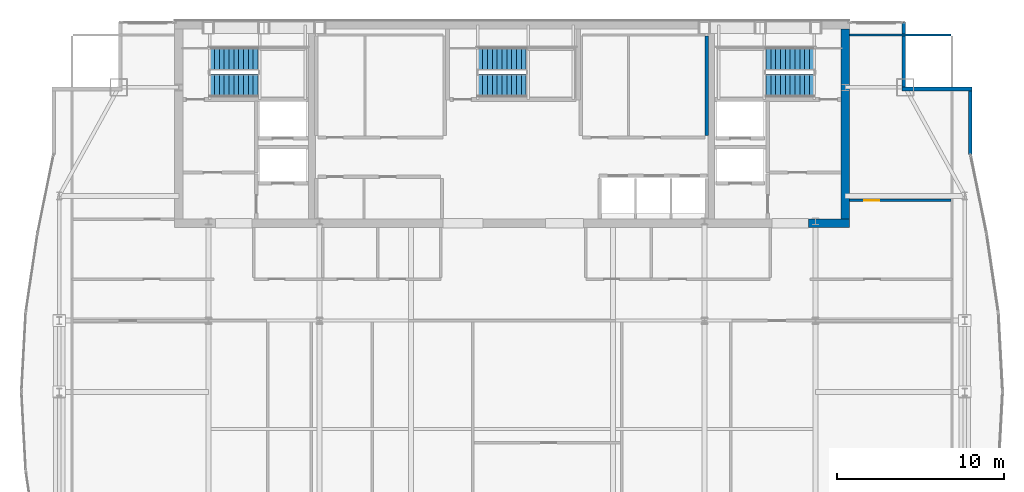
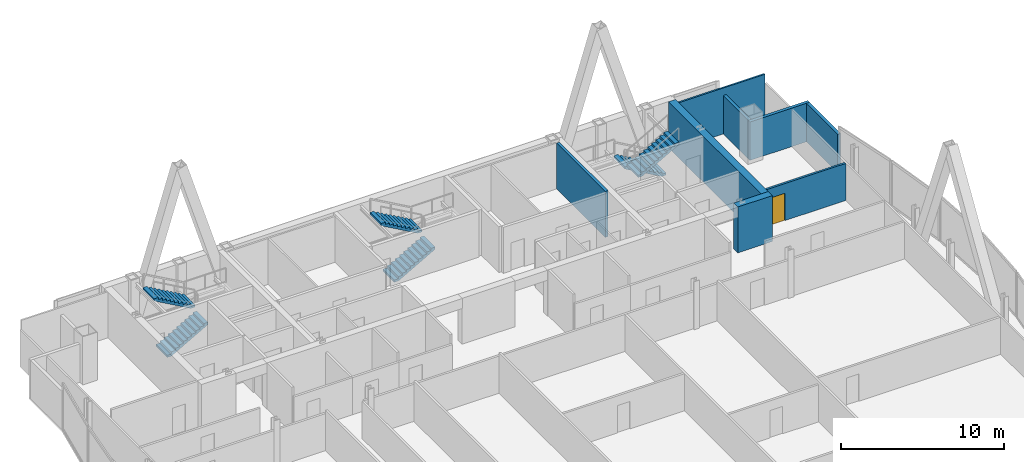
# One storey, part 29 of 31: 8 walls, 6 stair flights, 1 door, 1 opening, 3 elements without a shape of their own.
"""IFC4 building model written with IfcOpenShell, lengths in metres."""

from ifc_helpers import new_model, si_unit, direction, frame, frame_2d, origin, place, context, subcontext, project, spatial, polyline, rectangle, outline, extrude, material, layer, layer_set, type_object, element, fill, aggregate, save


model = new_model("IFC4")

# Units and contexts
model_context = context("Model", 3, precision=1e-05, world=origin(), true_north=direction((0.0, 1.0)))
body_context = subcontext(model_context, "Body", "Model", "MODEL_VIEW")
ifc_project = project(units=[si_unit("LENGTHUNIT", "METRE"), si_unit("AREAUNIT", "SQUARE_METRE"), si_unit("VOLUMEUNIT", "CUBIC_METRE"), si_unit("PLANEANGLEUNIT", "RADIAN"), si_unit("MASSUNIT", "GRAM", prefix="KILO")], contexts=[model_context])

# Site, building, storey
site_placement = place(None, origin())
site = spatial("IfcSite", under=ifc_project, at=site_placement, CompositionType="ELEMENT")
building_placement = place(site_placement, origin())
building = spatial("IfcBuilding", under=site, at=building_placement, Name="Khoronbel Lancet Exchange", CompositionType="ELEMENT")
storey_placement = place(building_placement, frame((0.0, 0.0, 273.39990234375)))
storey = spatial("IfcBuildingStorey", under=building, at=storey_placement, Name="L70", CompositionType="ELEMENT", Elevation=273.39990234375)

# Walls
ifc_material_1 = material(Name="Concrete C60/75", Category="concrete")
ifc_layer_1 = layer(ifc_material_1, 0.5, Name="Concrete C60/75")
ifc_layer_set_1 = layer_set([ifc_layer_1], Name="Concrete C60/75")
wall_type_1 = type_object("IfcWallType", Name="WL-CW4", PredefinedType="SHEAR", material=ifc_layer_set_1)
wall_1_placement = place(storey_placement, frame((56.449951171875, 53.199951171875, 0.0), z_axis=(0.0, 0.0, 1.0), x_axis=(0.0, -1.0, 0.0)))
element("IfcWall", 1, at=wall_1_placement, inside=storey, type_object=wall_type_1, Name="Level L70 rear core east shear wall", PredefinedType="SHEAR", context=body_context, shape_type="SweptSolid", body=[
    extrude(rectangle(XDim=11.39990234375, YDim=0.5, at=frame_2d((5.699951171875, 0.0))), origin(), (0.0, 0.0, 1.0), 3.440185546875),
])
wall_2_placement = place(storey_placement, frame((56.699951171875, 41.550048828125, 0.0), z_axis=(0.0, 0.0, 1.0), x_axis=(-1.0, 0.0, 0.0)))
element("IfcWall", 2, at=wall_2_placement, inside=storey, type_object=wall_type_1, Name="Level L70 rear core south shear wall pier P5", PredefinedType="SHEAR", context=body_context, shape_type="SweptSolid", body=[
    extrude(rectangle(XDim=2.449951171875, YDim=0.5, at=frame_2d((1.22509765625, 0.0))), origin(), (0.0, 0.0, 1.0), 3.440185546875),
])
ifc_material_2 = material(Name="Precast concrete C40/50", Category="concrete")
ifc_layer_2 = layer(ifc_material_2, 0.25, Name="Precast concrete C40/50")
ifc_layer_set_2 = layer_set([ifc_layer_2], Name="Precast concrete C40/50")
wall_type_2 = type_object("IfcWallType", Name="WL-EXT250", PredefinedType="SOLIDWALL", material=ifc_layer_set_2)
wall_3_placement = place(storey_placement, frame((59.9599609375, 53.6298828125, 0.0), z_axis=(0.0, 0.0, 1.0), x_axis=(0.0, -1.0, 0.0)))
element("IfcWall", 3, at=wall_3_placement, inside=storey, type_object=wall_type_2, Name="Level L70 notched-corner limestone pier 14", PredefinedType="SOLIDWALL", context=body_context, shape_type="SweptSolid", body=[
    extrude(rectangle(XDim=3.909912109375, YDim=0.219970703125, at=frame_2d((1.955078125, 0.0))), origin(), (0.0, 0.0, 1.0), 2.880126953125),
])
wall_4_placement = place(storey_placement, frame((59.85009765625, 49.610107421875, 0.0), z_axis=(0.0, 0.0, 1.0), x_axis=(1.0, 0.0, 0.0)))
element("IfcWall", 4, at=wall_4_placement, inside=storey, type_object=wall_type_2, Name="Level L70 notched-corner limestone pier 15", PredefinedType="SOLIDWALL", context=body_context, shape_type="SweptSolid", body=[
    extrude(rectangle(XDim=4.219970703125, YDim=0.219970703125, at=frame_2d((2.10986328125, 0.0))), origin(), (0.0, 0.0, 1.0), 2.880126953125),
])
wall_5_placement = place(storey_placement, frame((63.9599609375, 49.5, 0.0), z_axis=(0.0, 0.0, 1.0), x_axis=(0.0, -1.0, 0.0)))
element("IfcWall", 5, at=wall_5_placement, inside=storey, type_object=wall_type_2, Name="Level L70 notched-corner limestone pier 16", PredefinedType="SOLIDWALL", context=body_context, shape_type="SweptSolid", body=[
    extrude(rectangle(XDim=3.8291015625, YDim=0.219970703125, at=frame_2d((1.91455078125, 0.0))), origin(), (0.0, 0.0, 1.0), 2.880126953125),
])

# Wall, opening, door
ifc_material_3 = material(Name="Acoustic Metal-Stud & Mineral-Wool Gypsum Partition 120 mm", Category="gypsum")
ifc_layer_3 = layer(ifc_material_3, 0.1201171875, Name="Acoustic Metal-Stud & Mineral-Wool Gypsum Partition 120 mm")
ifc_layer_set_3 = layer_set([ifc_layer_3], Name="Acoustic Metal-Stud & Mineral-Wool Gypsum Partition 120 mm")
wall_type_3 = type_object("IfcWallType", Name="WL-PRT120", PredefinedType="PARTITIONING", material=ifc_layer_set_3)
wall_6_placement = place(storey_placement, frame((56.699951171875, 42.919921875, 0.0), z_axis=(0.0, 0.0, 1.0), x_axis=(1.0, 0.0, 0.0)))
wall_6 = element("IfcWall", 6, at=wall_6_placement, inside=storey, type_object=wall_type_3, Name="Level L70 interior partition PW-NE-H", PredefinedType="PARTITIONING", context=body_context, shape_type="SweptSolid", body=[
    extrude(rectangle(XDim=6.10498046875, YDim=0.14990234375, at=frame_2d((3.052490234375, 0.0))), origin(), (0.0, 0.0, 1.0), 2.780029296875),
])
opening_placement = place(wall_6_placement, frame((0.89990234375, 0.0, 0.0)))
opening = element("IfcOpeningElement", 7, at=opening_placement, cuts=wall_6, Name="Opening D5", PredefinedType="OPENING", context=body_context, shape_type="SweptSolid", body=[
    extrude(rectangle(XDim=0.89990234375, YDim=2.050048828125, at=frame_2d((0.449951171875, 1.02490234375))), frame((0.0, 0.0849609375, 0.0), z_axis=(0.0, -1.0, 0.0), x_axis=(1.0, 0.0, 0.0)), (0.0, 0.0, 1.0), 0.169921875),
])
ifc_material_4 = material(Name="Acoustic Timber Pantry & Support Door", Category="wood")
door_type = type_object("IfcDoorType", Name="DR-D5", OperationType="NOTDEFINED", PredefinedType="DOOR", material=ifc_material_4)
door_placement = place(opening_placement, origin())
door = element("IfcDoor", 8, at=door_placement, inside=storey, type_object=door_type, Name="NE north room door L70-1", OperationType="SINGLE_SWING_RIGHT", OverallHeight=2.050048828125, OverallWidth=0.89990234375, PredefinedType="DOOR", context=body_context, shape_type="SweptSolid", body=[
    extrude(rectangle(XDim=0.89990234375, YDim=2.050048828125, at=frame_2d((0.449951171875, 1.02490234375))), frame((0.0, 0.02490234375, 0.0), z_axis=(0.0, -1.0, 0.0), x_axis=(1.0, 0.0, 0.0)), (0.0, 0.0, 1.0), 0.050048828125),
])
fill(opening, door)

# Walls
wall_7_placement = place(storey_placement, frame((56.699951171875, 52.840087890625, 0.0), z_axis=(0.0, 0.0, 1.0), x_axis=(1.0, 0.0, 0.0)))
element("IfcWall", 9, at=wall_7_placement, inside=storey, type_object=wall_type_3, Name="Level L70 interior partition PW-LIN-NE", PredefinedType="PARTITIONING", context=body_context, shape_type="SweptSolid", body=[
    extrude(rectangle(XDim=6.10498046875, YDim=0.1201171875, at=frame_2d((3.052490234375, 0.0))), origin(), (0.0, 0.0, 1.0), 3.440185546875),
])
ifc_material_5 = material(Name="Autoclaved Aerated Concrete Blockwork 200 mm", Category="masonry")
ifc_layer_4 = layer(ifc_material_5, 0.199951171875, Name="Autoclaved Aerated Concrete Blockwork 200 mm")
ifc_layer_set_4 = layer_set([ifc_layer_4], Name="Autoclaved Aerated Concrete Blockwork 200 mm")
wall_type_4 = type_object("IfcWallType", Name="WL-PRT200", PredefinedType="PARTITIONING", material=ifc_layer_set_4)
wall_8_placement = place(storey_placement, frame((48.139892578125, 46.804931640625, 0.0), z_axis=(0.0, 0.0, 1.0), x_axis=(0.0, 1.0, 0.0)))
element("IfcWall", 10, at=wall_8_placement, inside=storey, type_object=wall_type_4, Name="Level L70 interior partition CW-PH-RE", PredefinedType="PARTITIONING", context=body_context, shape_type="SweptSolid", body=[
    extrude(rectangle(XDim=5.989990234375, YDim=0.199951171875, at=frame_2d((2.9951171875, 0.0))), origin(), (0.0, 0.0, 1.0), 3.440185546875),
])

# Stair, stair flights
ifc_material_6 = material(Name="Concrete C40/50", Category="concrete")
stair_type = type_object("IfcStairType", Name="STR-CORE150", PredefinedType="HALF_TURN_STAIR", material=ifc_material_6)
stair_1_placement = place(storey_placement, origin())
stair_1 = element("IfcStair", 11, at=stair_1_placement, inside=storey, type_object=stair_type, Name="L70 Protected Exit Stair ST1", PredefinedType="HALF_TURN_STAIR")
stair_flight_type = type_object("IfcStairFlightType", Name="STF-150", PredefinedType="STRAIGHT", material=ifc_material_6)
stair_flight_1_placement = place(storey_placement, frame((18.300048828125, 49.81005859375, 0.0), z_axis=(0.0, 0.0, 1.0), x_axis=(1.0, 0.0, 0.0)))
stair_flight_1 = element("IfcStairFlight", 12, at=stair_flight_1_placement, type_object=stair_flight_type, Name="ST1 flight 1", NumberOfRisers=11, NumberOfTreads=10, PredefinedType="STRAIGHT", RiserHeight=0.163636364, TreadLength=0.29, context=body_context, shape_type="SweptSolid", body=[
    extrude(outline(polyline([(0.0, 0.0), (0.0, 0.16357421875), (0.2900390625, 0.16357421875), (0.2900390625, 0.327392578125), (0.580078125, 0.327392578125), (0.580078125, 0.490966796875), (0.8701171875, 0.490966796875), (0.8701171875, 0.654541015625), (1.159912109375, 0.654541015625), (1.159912109375, 0.818115234375), (1.449951171875, 0.818115234375), (1.449951171875, 0.98193359375), (1.739990234375, 0.98193359375), (1.739990234375, 1.1455078125), (2.030029296875, 1.1455078125), (2.030029296875, 1.30908203125), (2.320068359375, 1.30908203125), (2.320068359375, 1.47265625), (2.610107421875, 1.47265625), (2.610107421875, 1.636474609375), (2.89990234375, 1.636474609375), (2.89990234375, 1.800048828125), (2.89990234375, 1.46435546875), (0.304931640625, 0.0), (0.0, 0.0)])), frame((0.0, 0.68994140625, 0.0), z_axis=(0.0, -1.0, 0.0), x_axis=(1.0, 0.0, 0.0)), (0.0, 0.0, 1.0), 1.3798828125),
])
stair_flight_2_placement = place(storey_placement, frame((21.199951171875, 51.409912109375, 1.800048828125), z_axis=(0.0, 0.0, 1.0), x_axis=(-1.0, 0.0, 0.0)))
stair_flight_2 = element("IfcStairFlight", 13, at=stair_flight_2_placement, type_object=stair_flight_type, Name="ST1 flight 2", NumberOfRisers=11, NumberOfTreads=10, PredefinedType="STRAIGHT", RiserHeight=0.163636364, TreadLength=0.29, context=body_context, shape_type="SweptSolid", body=[
    extrude(outline(polyline([(0.0, 0.0), (0.0, 0.16357421875), (0.2900390625, 0.16357421875), (0.2900390625, 0.327392578125), (0.580078125, 0.327392578125), (0.580078125, 0.490966796875), (0.8701171875, 0.490966796875), (0.8701171875, 0.654541015625), (1.159912109375, 0.654541015625), (1.159912109375, 0.818115234375), (1.449951171875, 0.818115234375), (1.449951171875, 0.98193359375), (1.739990234375, 0.98193359375), (1.739990234375, 1.1455078125), (2.030029296875, 1.1455078125), (2.030029296875, 1.30908203125), (2.320068359375, 1.30908203125), (2.320068359375, 1.47265625), (2.610107421875, 1.47265625), (2.610107421875, 1.636474609375), (2.89990234375, 1.636474609375), (2.89990234375, 1.800048828125), (2.89990234375, 1.46435546875), (0.304931640625, 0.0), (0.0, 0.0)])), frame((0.0, 0.68994140625, 0.0), z_axis=(0.0, -1.0, 0.0), x_axis=(1.0, 0.0, 0.0)), (0.0, 0.0, 1.0), 1.3798828125),
])
aggregate(stair_1, [stair_flight_1, stair_flight_2])

stair_2_placement = place(storey_placement, origin())
stair_2 = element("IfcStair", 14, at=stair_2_placement, inside=storey, type_object=stair_type, Name="L70 Protected Exit Stair ST2", PredefinedType="HALF_TURN_STAIR")
stair_flight_3_placement = place(storey_placement, frame((54.60009765625, 51.409912109375, 0.0), z_axis=(0.0, 0.0, 1.0), x_axis=(-1.0, 0.0, 0.0)))
stair_flight_3 = element("IfcStairFlight", 15, at=stair_flight_3_placement, type_object=stair_flight_type, Name="ST2 flight 1", NumberOfRisers=11, NumberOfTreads=10, PredefinedType="STRAIGHT", RiserHeight=0.163636364, TreadLength=0.29, context=body_context, shape_type="SweptSolid", body=[
    extrude(outline(polyline([(0.0, 0.0), (0.0, 0.16357421875), (0.2900390625, 0.16357421875), (0.2900390625, 0.327392578125), (0.580078125, 0.327392578125), (0.580078125, 0.490966796875), (0.8701171875, 0.490966796875), (0.8701171875, 0.654541015625), (1.159912109375, 0.654541015625), (1.159912109375, 0.818115234375), (1.449951171875, 0.818115234375), (1.449951171875, 0.98193359375), (1.739990234375, 0.98193359375), (1.739990234375, 1.1455078125), (2.030029296875, 1.1455078125), (2.030029296875, 1.30908203125), (2.320068359375, 1.30908203125), (2.320068359375, 1.47265625), (2.610107421875, 1.47265625), (2.610107421875, 1.636474609375), (2.89990234375, 1.636474609375), (2.89990234375, 1.800048828125), (2.89990234375, 1.46435546875), (0.304931640625, 0.0), (0.0, 0.0)])), frame((0.0, 0.68994140625, 0.0), z_axis=(0.0, -1.0, 0.0), x_axis=(1.0, 0.0, 0.0)), (0.0, 0.0, 1.0), 1.3798828125),
])
stair_flight_4_placement = place(storey_placement, frame((51.699951171875, 49.81005859375, 1.800048828125), z_axis=(0.0, 0.0, 1.0), x_axis=(1.0, 0.0, 0.0)))
stair_flight_4 = element("IfcStairFlight", 16, at=stair_flight_4_placement, type_object=stair_flight_type, Name="ST2 flight 2", NumberOfRisers=11, NumberOfTreads=10, PredefinedType="STRAIGHT", RiserHeight=0.163636364, TreadLength=0.29, context=body_context, shape_type="SweptSolid", body=[
    extrude(outline(polyline([(0.0, 0.0), (0.0, 0.16357421875), (0.2900390625, 0.16357421875), (0.2900390625, 0.327392578125), (0.580078125, 0.327392578125), (0.580078125, 0.490966796875), (0.8701171875, 0.490966796875), (0.8701171875, 0.654541015625), (1.159912109375, 0.654541015625), (1.159912109375, 0.818115234375), (1.449951171875, 0.818115234375), (1.449951171875, 0.98193359375), (1.739990234375, 0.98193359375), (1.739990234375, 1.1455078125), (2.030029296875, 1.1455078125), (2.030029296875, 1.30908203125), (2.320068359375, 1.30908203125), (2.320068359375, 1.47265625), (2.610107421875, 1.47265625), (2.610107421875, 1.636474609375), (2.89990234375, 1.636474609375), (2.89990234375, 1.800048828125), (2.89990234375, 1.46435546875), (0.304931640625, 0.0), (0.0, 0.0)])), frame((0.0, 0.68994140625, 0.0), z_axis=(0.0, -1.0, 0.0), x_axis=(1.0, 0.0, 0.0)), (0.0, 0.0, 1.0), 1.3798828125),
])
aggregate(stair_2, [stair_flight_3, stair_flight_4])

stair_3_placement = place(storey_placement, origin())
stair_3 = element("IfcStair", 17, at=stair_3_placement, inside=storey, type_object=stair_type, Name="L70 Protected Exit Stair ST3", PredefinedType="HALF_TURN_STAIR")
stair_flight_5_placement = place(storey_placement, frame((34.39990234375, 49.81005859375, 0.0), z_axis=(0.0, 0.0, 1.0), x_axis=(1.0, 0.0, 0.0)))
stair_flight_5 = element("IfcStairFlight", 18, at=stair_flight_5_placement, type_object=stair_flight_type, Name="ST3 flight 1", NumberOfRisers=11, NumberOfTreads=10, PredefinedType="STRAIGHT", RiserHeight=0.163636364, TreadLength=0.29, context=body_context, shape_type="SweptSolid", body=[
    extrude(outline(polyline([(0.0, 0.0), (0.0, 0.16357421875), (0.2900390625, 0.16357421875), (0.2900390625, 0.327392578125), (0.580078125, 0.327392578125), (0.580078125, 0.490966796875), (0.8701171875, 0.490966796875), (0.8701171875, 0.654541015625), (1.159912109375, 0.654541015625), (1.159912109375, 0.818115234375), (1.449951171875, 0.818115234375), (1.449951171875, 0.98193359375), (1.739990234375, 0.98193359375), (1.739990234375, 1.1455078125), (2.030029296875, 1.1455078125), (2.030029296875, 1.30908203125), (2.320068359375, 1.30908203125), (2.320068359375, 1.47265625), (2.610107421875, 1.47265625), (2.610107421875, 1.636474609375), (2.89990234375, 1.636474609375), (2.89990234375, 1.800048828125), (2.89990234375, 1.46435546875), (0.304931640625, 0.0), (0.0, 0.0)])), frame((0.0, 0.68994140625, 0.0), z_axis=(0.0, -1.0, 0.0), x_axis=(1.0, 0.0, 0.0)), (0.0, 0.0, 1.0), 1.3798828125),
])
stair_flight_6_placement = place(storey_placement, frame((37.300048828125, 51.409912109375, 1.800048828125), z_axis=(0.0, 0.0, 1.0), x_axis=(-1.0, 0.0, 0.0)))
stair_flight_6 = element("IfcStairFlight", 19, at=stair_flight_6_placement, type_object=stair_flight_type, Name="ST3 flight 2", NumberOfRisers=11, NumberOfTreads=10, PredefinedType="STRAIGHT", RiserHeight=0.163636364, TreadLength=0.29, context=body_context, shape_type="SweptSolid", body=[
    extrude(outline(polyline([(0.0, 0.0), (0.0, 0.16357421875), (0.2900390625, 0.16357421875), (0.2900390625, 0.327392578125), (0.580078125, 0.327392578125), (0.580078125, 0.490966796875), (0.8701171875, 0.490966796875), (0.8701171875, 0.654541015625), (1.159912109375, 0.654541015625), (1.159912109375, 0.818115234375), (1.449951171875, 0.818115234375), (1.449951171875, 0.98193359375), (1.739990234375, 0.98193359375), (1.739990234375, 1.1455078125), (2.030029296875, 1.1455078125), (2.030029296875, 1.30908203125), (2.320068359375, 1.30908203125), (2.320068359375, 1.47265625), (2.610107421875, 1.47265625), (2.610107421875, 1.636474609375), (2.89990234375, 1.636474609375), (2.89990234375, 1.800048828125), (2.89990234375, 1.46435546875), (0.304931640625, 0.0), (0.0, 0.0)])), frame((0.0, 0.68994140625, 0.0), z_axis=(0.0, -1.0, 0.0), x_axis=(1.0, 0.0, 0.0)), (0.0, 0.0, 1.0), 1.3798828125),
])
aggregate(stair_3, [stair_flight_5, stair_flight_6])

save(model, "model.ifc")
